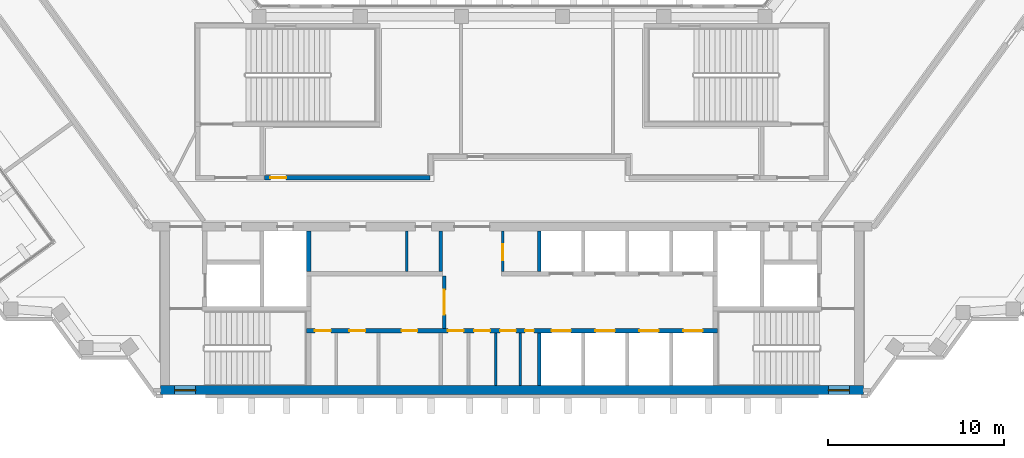
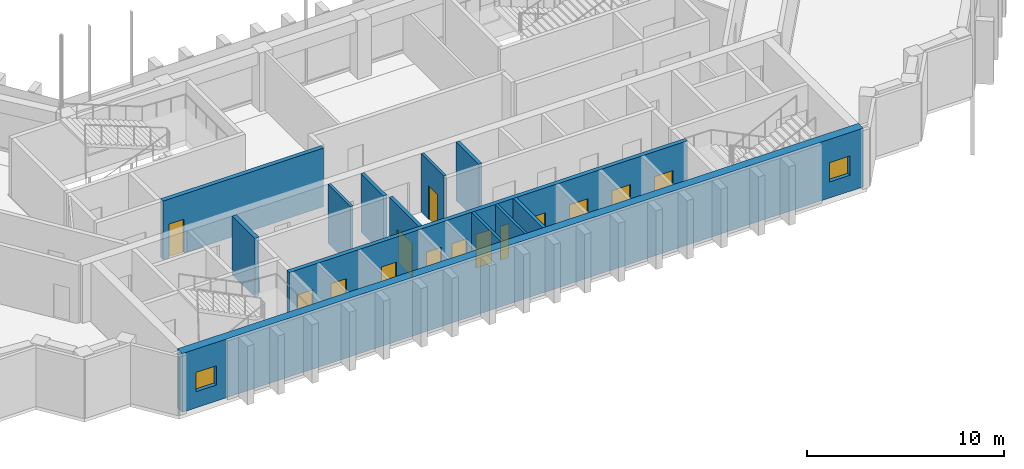
# One storey, part 9 of 15: 14 doors, 12 walls, 2 windows, 16 openings.
"""IFC4 building model written with IfcOpenShell, lengths in metres."""

import ifcopenshell
import ifcopenshell.guid

model = None  # the IFC model being written
_history = None  # IfcOwnerHistory: only IFC2X3 demands one
_inside = {}  # id of a spatial element -> (the spatial element, [elements in it])
_under = {}  # id of a project, library or spatial element -> (it, [spatial elements below it])
_declared = {}  # id of a project -> (the project, [libraries it declares])
_typed = {}  # id of a type object -> (the type object, [elements of that type])
_made_of = {}  # id of a material, layer set ... -> (it, [elements and type objects made of it])


def new_model(schema):
    """Start an empty IFC model of exactly this schema.

    Asked for "IFC4X3", IfcOpenShell would pick the latest addendum, in which some entities
    have other attributes; the version numbers below select the first issue.
    IFC2X3 requires an IfcOwnerHistory on every rooted entity: one is made here for all.
    """
    global model, _history
    if schema == "IFC4X3":
        model = ifcopenshell.file(schema_version=(4, 3, 0, 0))
    else:
        model = ifcopenshell.file(schema=schema)
    _inside.clear()
    _under.clear()
    _declared.clear()
    _typed.clear()
    _made_of.clear()
    _history = None
    if model.schema == "IFC2X3":
        org = make("IfcOrganization", Name="unknown")
        user = make(
            "IfcPersonAndOrganization",
            ThePerson=make("IfcPerson", FamilyName="unknown"),
            TheOrganization=org,
        )
        app = make(
            "IfcApplication",
            ApplicationDeveloper=org,
            Version="unknown",
            ApplicationFullName="unknown",
            ApplicationIdentifier="unknown",
        )
        _history = make(
            "IfcOwnerHistory",
            OwningUser=user,
            OwningApplication=app,
            ChangeAction="ADDED",
            CreationDate=0,
        )
    return model


def make(cls, **values):
    """One entity of the class cls with the attributes given. An attribute that is None is left unset."""
    return model.create_entity(
        cls, **{name: value for name, value in values.items() if value is not None}
    )


def rooted(cls, **values):
    """An entity with a GlobalId (a new one), such as an element, a storey or a relation."""
    return make(cls, GlobalId=ifcopenshell.guid.new(), OwnerHistory=_history, **values)


def si_unit(unit_type, name, prefix=None):
    """IfcSIUnit, for example si_unit("LENGTHUNIT", "METRE", prefix="MILLI")."""
    return make("IfcSIUnit", UnitType=unit_type, Prefix=prefix, Name=name)


def assignment(units):
    """IfcUnitAssignment: the units of a project."""
    return None if units is None else make("IfcUnitAssignment", Units=units)


def point(xyz):
    """IfcCartesianPoint."""
    return None if xyz is None else make("IfcCartesianPoint", Coordinates=xyz)


def direction(xyz):
    """IfcDirection."""
    return None if xyz is None else make("IfcDirection", DirectionRatios=xyz)


def frame(location, z_axis=None, x_axis=None):
    """IfcAxis2Placement3D, a coordinate frame: its origin and axes. An axis left out is left unset."""
    return make(
        "IfcAxis2Placement3D",
        Location=point(location),
        Axis=direction(z_axis),
        RefDirection=direction(x_axis),
    )


def frame_2d(location, x_axis=None):
    """IfcAxis2Placement2D, a coordinate frame in the plane: its origin and x axis."""
    return make(
        "IfcAxis2Placement2D", Location=point(location), RefDirection=direction(x_axis)
    )


def origin():
    """The frame at (0, 0, 0) with its axes left unset."""
    return frame((0.0, 0.0, 0.0))


def place(relative_to, where):
    """IfcLocalPlacement: puts the frame where relative to a parent placement (None: the world)."""
    return make(
        "IfcLocalPlacement", PlacementRelTo=relative_to, RelativePlacement=where
    )


def context(
    kind, dimensions, precision=None, world=None, true_north=None, identifier=None
):
    """IfcGeometricRepresentationContext, for example the 3D "Model" context."""
    return make(
        "IfcGeometricRepresentationContext",
        ContextIdentifier=identifier,
        ContextType=kind,
        CoordinateSpaceDimension=dimensions,
        Precision=precision,
        WorldCoordinateSystem=world,
        TrueNorth=true_north,
    )


def subcontext(parent, identifier, kind, view, scale=None):
    """IfcGeometricRepresentationSubContext, for example "Body" below "Model"."""
    return make(
        "IfcGeometricRepresentationSubContext",
        ContextIdentifier=identifier,
        ContextType=kind,
        ParentContext=parent,
        TargetScale=scale,
        TargetView=view,
    )


def project(units=None, contexts=None):
    """IfcProject with its units and contexts."""
    return rooted(
        "IfcProject",
        Name="project",
        RepresentationContexts=contexts,
        UnitsInContext=assignment(units),
    )


def spatial(cls, under=None, at=None, **own):
    """A site, building, storey or space (cls), placed at a placement, below another one or the project."""
    s = rooted(cls, ObjectPlacement=at, **own)
    if under is not None:
        _under.setdefault(under.id(), (under, []))[1].append(s)
    return s


def profile(cls, at=None, kind="AREA", **sizes):
    """A parametric profile (cls). Its sizes go by their IFC names, for example OverallWidth=200.0."""
    return make(cls, ProfileType=kind, Position=at, **sizes)


def rectangle(**sizes):
    """IfcRectangleProfileDef."""
    return profile("IfcRectangleProfileDef", **sizes)


def extrude(swept, where, along, depth):
    """IfcExtrudedAreaSolid: the profile swept, set in the frame where, extruded along a direction by depth."""
    return make(
        "IfcExtrudedAreaSolid",
        SweptArea=swept,
        Position=where,
        ExtrudedDirection=direction(along),
        Depth=depth,
    )


def shape(context_of_items, identifier, shape_type, items):
    """IfcShapeRepresentation: the items that make up one representation, for example the "Body"."""
    return make(
        "IfcShapeRepresentation",
        ContextOfItems=context_of_items,
        RepresentationIdentifier=identifier,
        RepresentationType=shape_type,
        Items=items,
    )


def material(Name=None, Category=None):
    """IfcMaterial."""
    return make("IfcMaterial", Name=Name, Category=Category)


def layer(
    of_material, thickness, ventilated=None, Name=None, Category=None, Priority=None
):
    """IfcMaterialLayer: one layer of a wall or slab, of a material (None: an air gap)."""
    return make(
        "IfcMaterialLayer",
        Material=of_material,
        LayerThickness=thickness,
        IsVentilated=ventilated,
        Name=Name,
        Category=Category,
        Priority=Priority,
    )


def layer_set(layers, Name=None):
    """IfcMaterialLayerSet."""
    return make("IfcMaterialLayerSet", MaterialLayers=layers, LayerSetName=Name)


def made_of(thing, what):
    """Note that an element or type object is made of a material, layer set ...; save() writes the relation."""
    if what is not None:
        _made_of.setdefault(what.id(), (what, []))[1].append(thing)
    return thing


def type_object(cls, material=None, **own):
    """A type object (cls), such as IfcWallType, which elements share."""
    return made_of(rooted(cls, **own), material)


def element(
    cls,
    number,
    at=None,
    inside=None,
    cuts=None,
    type_object=None,
    material=None,
    context=None,
    identifier="Body",
    shape_type=None,
    held_by="IfcProductDefinitionShape",
    body=None,
    shapes=None,
    **own,
):
    """One element of the class cls, such as IfcWall. Its Tag is "e" and its number.

    at: its placement. inside: the storey or other place that contains it. cuts: it is an
    opening in that element (IfcRelVoidsElement). A single representation is given by context,
    identifier, shape_type and body (its items); several are given by shapes. held_by: the class
    of the entity that holds the representations. save() writes the other relations.
    """
    e = rooted(cls, Tag="e%d" % number, ObjectPlacement=at, **own)
    if body is not None:
        shapes = [shape(context, identifier, shape_type, body)]
    if shapes is not None:
        e.Representation = make(held_by, Representations=shapes)
    if inside is not None:
        _inside.setdefault(inside.id(), (inside, []))[1].append(e)
    if cuts is not None:
        rooted(
            "IfcRelVoidsElement", RelatingBuildingElement=cuts, RelatedOpeningElement=e
        )
    if type_object is not None:
        _typed.setdefault(type_object.id(), (type_object, []))[1].append(e)
    return made_of(e, material)


def fill(opening, filler):
    """IfcRelFillsElement: the door or window that sits in an opening."""
    return rooted(
        "IfcRelFillsElement",
        RelatingOpeningElement=opening,
        RelatedBuildingElement=filler,
    )


def aggregate(whole, parts):
    """IfcRelAggregates: a whole, such as a stair, and the parts it consists of."""
    return rooted("IfcRelAggregates", RelatingObject=whole, RelatedObjects=parts)


def save(model, path):
    """Write the relations noted so far, then the file.

    IfcRelAggregates (storeys below a building ...), IfcRelContainedInSpatialStructure (elements
    in a storey), IfcRelDefinesByType, IfcRelAssociatesMaterial and IfcRelDeclares: one each for
    every whole, place, type object, material and project.
    """
    for whole, parts in _under.values():
        aggregate(whole, parts)
    for where, things in _inside.values():
        rooted(
            "IfcRelContainedInSpatialStructure",
            RelatedElements=things,
            RelatingStructure=where,
        )
    for kind, things in _typed.values():
        rooted("IfcRelDefinesByType", RelatedObjects=things, RelatingType=kind)
    for what, things in _made_of.values():
        rooted("IfcRelAssociatesMaterial", RelatedObjects=things, RelatingMaterial=what)
    for by, libraries in _declared.values():
        rooted("IfcRelDeclares", RelatingContext=by, RelatedDefinitions=libraries)
    model.write(path)


model = new_model("IFC4")

# Units and contexts
model_context = context("Model", 3, precision=1e-05, world=origin(), true_north=direction((0.0, 1.0)))
body_context = subcontext(model_context, "Body", "Model", "MODEL_VIEW")
ifc_project = project(units=[si_unit("LENGTHUNIT", "METRE"), si_unit("AREAUNIT", "SQUARE_METRE"), si_unit("VOLUMEUNIT", "CUBIC_METRE"), si_unit("PLANEANGLEUNIT", "RADIAN"), si_unit("MASSUNIT", "GRAM", prefix="KILO")], contexts=[model_context])

# Site, building, storey
site_placement = place(None, origin())
site = spatial("IfcSite", under=ifc_project, at=site_placement, CompositionType="ELEMENT")
building_placement = place(site_placement, origin())
building = spatial("IfcBuilding", under=site, at=building_placement, Name="Quipu Civic Tower", CompositionType="ELEMENT")
storey_placement = place(building_placement, frame((0.0, 0.0, 160.0)))
storey = spatial("IfcBuildingStorey", under=building, at=storey_placement, Name="L37", CompositionType="ELEMENT", Elevation=160.0)

# Wall, openings, doors
ifc_material_1 = material(Name="Concrete C70/85", Category="concrete")
ifc_layer_1 = layer(ifc_material_1, 0.25)
ifc_layer_set_1 = layer_set([ifc_layer_1], Name="Concrete C70/85")
wall_type_1 = type_object("IfcWallType", Name="Core wall 250", PredefinedType="SHEAR", material=ifc_layer_set_1)
wall_1_placement = place(storey_placement, frame((11.699951171875, -7.375, 0.0), z_axis=(0.0, 0.0, 1.0), x_axis=(-1.0, 0.0, 0.0)))
wall_1 = element("IfcWall", 1, at=wall_1_placement, inside=storey, type_object=wall_type_1, Name="Core wall", PredefinedType="SHEAR", context=body_context, shape_type="SweptSolid", body=[
    extrude(rectangle(XDim=23.39990234375, YDim=0.25, at=frame_2d((11.699951171875, 0.0))), origin(), (0.0, 0.0, 1.0), 3.64990234375),
])
opening_1_placement = place(wall_1_placement, frame((22.011962890625, 0.0, 0.0)))
opening_1 = element("IfcOpeningElement", 2, at=opening_1_placement, cuts=wall_1, Name="Opening CD-01", PredefinedType="OPENING", context=body_context, shape_type="SweptSolid", body=[
    extrude(rectangle(XDim=0.89990234375, YDim=2.10009765625, at=frame_2d((0.449951171875, 1.050048828125))), frame((0.0, 0.135009765625, 0.0), z_axis=(0.0, -1.0, 0.0), x_axis=(1.0, 0.0, 0.0)), (0.0, 0.0, 1.0), 0.27001953125),
])
opening_2_placement = place(wall_1_placement, frame((20.050048828125, 0.0, 0.0)))
opening_2 = element("IfcOpeningElement", 3, at=opening_2_placement, cuts=wall_1, Name="Opening CD-02", PredefinedType="OPENING", context=body_context, shape_type="SweptSolid", body=[
    extrude(rectangle(XDim=0.89990234375, YDim=2.10009765625, at=frame_2d((0.449951171875, 1.050048828125))), frame((0.0, 0.135009765625, 0.0), z_axis=(0.0, -1.0, 0.0), x_axis=(1.0, 0.0, 0.0)), (0.0, 0.0, 1.0), 0.27001953125),
])
opening_3_placement = place(wall_1_placement, frame((17.087890625, 0.0, 0.0)))
opening_3 = element("IfcOpeningElement", 4, at=opening_3_placement, cuts=wall_1, Name="Opening CD-03", PredefinedType="OPENING", context=body_context, shape_type="SweptSolid", body=[
    extrude(rectangle(XDim=0.89990234375, YDim=2.10009765625, at=frame_2d((0.449951171875, 1.050048828125))), frame((0.0, 0.135009765625, 0.0), z_axis=(0.0, -1.0, 0.0), x_axis=(1.0, 0.0, 0.0)), (0.0, 0.0, 1.0), 0.27001953125),
])
opening_4_placement = place(wall_1_placement, frame((14.449951171875, 0.0, 0.0)))
opening_4 = element("IfcOpeningElement", 5, at=opening_4_placement, cuts=wall_1, Name="Opening CD-04", PredefinedType="OPENING", context=body_context, shape_type="SweptSolid", body=[
    extrude(rectangle(XDim=0.89990234375, YDim=2.10009765625, at=frame_2d((0.449951171875, 1.050048828125))), frame((0.0, 0.135009765625, 0.0), z_axis=(0.0, -1.0, 0.0), x_axis=(1.0, 0.0, 0.0)), (0.0, 0.0, 1.0), 0.27001953125),
])
opening_5_placement = place(wall_1_placement, frame((12.949951171875, 0.0, 0.0)))
opening_5 = element("IfcOpeningElement", 6, at=opening_5_placement, cuts=wall_1, Name="Opening CD-05", PredefinedType="OPENING", context=body_context, shape_type="SweptSolid", body=[
    extrude(rectangle(XDim=0.89990234375, YDim=2.10009765625, at=frame_2d((0.449951171875, 1.050048828125))), frame((0.0, 0.135009765625, 0.0), z_axis=(0.0, -1.0, 0.0), x_axis=(1.0, 0.0, 0.0)), (0.0, 0.0, 1.0), 0.27001953125),
])
opening_6_placement = place(wall_1_placement, frame((11.47509765625, 0.0, 0.0)))
opening_6 = element("IfcOpeningElement", 7, at=opening_6_placement, cuts=wall_1, Name="Opening CD-06", PredefinedType="OPENING", context=body_context, shape_type="SweptSolid", body=[
    extrude(rectangle(XDim=0.89990234375, YDim=2.10009765625, at=frame_2d((0.449951171875, 1.050048828125))), frame((0.0, 0.135009765625, 0.0), z_axis=(0.0, -1.0, 0.0), x_axis=(1.0, 0.0, 0.0)), (0.0, 0.0, 1.0), 0.27001953125),
])
opening_7_placement = place(wall_1_placement, frame((10.449951171875, 0.0, 0.0)))
opening_7 = element("IfcOpeningElement", 8, at=opening_7_placement, cuts=wall_1, Name="Opening CD-07", PredefinedType="OPENING", context=body_context, shape_type="SweptSolid", body=[
    extrude(rectangle(XDim=0.5, YDim=2.10009765625, at=frame_2d((0.25, 1.050048828125))), frame((0.0, 0.135009765625, 0.0), z_axis=(0.0, -1.0, 0.0), x_axis=(1.0, 0.0, 0.0)), (0.0, 0.0, 1.0), 0.27001953125),
])
opening_8_placement = place(wall_1_placement, frame((8.35009765625, 0.0, 0.0)))
opening_8 = element("IfcOpeningElement", 9, at=opening_8_placement, cuts=wall_1, Name="Opening LD-ML1", PredefinedType="OPENING", context=body_context, shape_type="SweptSolid", body=[
    extrude(rectangle(XDim=1.10009765625, YDim=2.10009765625, at=frame_2d((0.550048828125, 1.050048828125))), frame((0.0, 0.135009765625, 0.0), z_axis=(0.0, -1.0, 0.0), x_axis=(1.0, 0.0, 0.0)), (0.0, 0.0, 1.0), 0.27001953125),
])
opening_9_placement = place(wall_1_placement, frame((5.85009765625, 0.0, 0.0)))
opening_9 = element("IfcOpeningElement", 10, at=opening_9_placement, cuts=wall_1, Name="Opening LD-ML2", PredefinedType="OPENING", context=body_context, shape_type="SweptSolid", body=[
    extrude(rectangle(XDim=1.10009765625, YDim=2.10009765625, at=frame_2d((0.550048828125, 1.050048828125))), frame((0.0, 0.135009765625, 0.0), z_axis=(0.0, -1.0, 0.0), x_axis=(1.0, 0.0, 0.0)), (0.0, 0.0, 1.0), 0.27001953125),
])
opening_10_placement = place(wall_1_placement, frame((3.35009765625, 0.0, 0.0)))
opening_10 = element("IfcOpeningElement", 11, at=opening_10_placement, cuts=wall_1, Name="Opening LD-ML3", PredefinedType="OPENING", context=body_context, shape_type="SweptSolid", body=[
    extrude(rectangle(XDim=1.10009765625, YDim=2.10009765625, at=frame_2d((0.550048828125, 1.050048828125))), frame((0.0, 0.135009765625, 0.0), z_axis=(0.0, -1.0, 0.0), x_axis=(1.0, 0.0, 0.0)), (0.0, 0.0, 1.0), 0.27001953125),
])
opening_11_placement = place(wall_1_placement, frame((0.85009765625, 0.0, 0.0)))
opening_11 = element("IfcOpeningElement", 12, at=opening_11_placement, cuts=wall_1, Name="Opening LD-ML4", PredefinedType="OPENING", context=body_context, shape_type="SweptSolid", body=[
    extrude(rectangle(XDim=1.10009765625, YDim=2.10009765625, at=frame_2d((0.550048828125, 1.050048828125))), frame((0.0, 0.135009765625, 0.0), z_axis=(0.0, -1.0, 0.0), x_axis=(1.0, 0.0, 0.0)), (0.0, 0.0, 1.0), 0.27001953125),
])
ifc_material_2 = material(Name="Fire rated steel door", Category="steel")
door_type_1 = type_object("IfcDoorType", Name="Fire door FD60 500 x 2100", OperationType="NOTDEFINED", PredefinedType="DOOR", material=ifc_material_2)
door_1_placement = place(opening_7_placement, origin())
door_1 = element("IfcDoor", 13, at=door_1_placement, inside=storey, type_object=door_type_1, Name="Door", OperationType="SINGLE_SWING_LEFT", OverallHeight=2.10009765625, OverallWidth=0.5, PredefinedType="DOOR", context=body_context, shape_type="SweptSolid", body=[
    extrude(rectangle(XDim=0.5, YDim=2.10009765625, at=frame_2d((0.25, 1.050048828125))), frame((0.0, 0.02490234375, 0.0), z_axis=(0.0, -1.0, 0.0), x_axis=(1.0, 0.0, 0.0)), (0.0, 0.0, 1.0), 0.050048828125),
])
fill(opening_7, door_1)
ifc_material_3 = material(Name="Fire rated steel door", Category="steel")
door_type_2 = type_object("IfcDoorType", Name="Fire door FD60 900 x 2100", OperationType="NOTDEFINED", PredefinedType="DOOR", material=ifc_material_3)
door_2_placement = place(opening_1_placement, origin())
door_2 = element("IfcDoor", 14, at=door_2_placement, inside=storey, type_object=door_type_2, Name="Door", OperationType="SINGLE_SWING_RIGHT", OverallHeight=2.10009765625, OverallWidth=0.89990234375, PredefinedType="DOOR", context=body_context, shape_type="SweptSolid", body=[
    extrude(rectangle(XDim=0.89990234375, YDim=2.10009765625, at=frame_2d((0.449951171875, 1.050048828125))), frame((0.0, 0.02490234375, 0.0), z_axis=(0.0, -1.0, 0.0), x_axis=(1.0, 0.0, 0.0)), (0.0, 0.0, 1.0), 0.050048828125),
])
fill(opening_1, door_2)
door_3_placement = place(opening_2_placement, origin())
door_3 = element("IfcDoor", 15, at=door_3_placement, inside=storey, type_object=door_type_2, Name="Door", OperationType="SINGLE_SWING_RIGHT", OverallHeight=2.10009765625, OverallWidth=0.89990234375, PredefinedType="DOOR", context=body_context, shape_type="SweptSolid", body=[
    extrude(rectangle(XDim=0.89990234375, YDim=2.10009765625, at=frame_2d((0.449951171875, 1.050048828125))), frame((0.0, 0.02490234375, 0.0), z_axis=(0.0, -1.0, 0.0), x_axis=(1.0, 0.0, 0.0)), (0.0, 0.0, 1.0), 0.050048828125),
])
fill(opening_2, door_3)
door_4_placement = place(opening_3_placement, origin())
door_4 = element("IfcDoor", 16, at=door_4_placement, inside=storey, type_object=door_type_2, Name="Door", OperationType="SINGLE_SWING_RIGHT", OverallHeight=2.10009765625, OverallWidth=0.89990234375, PredefinedType="DOOR", context=body_context, shape_type="SweptSolid", body=[
    extrude(rectangle(XDim=0.89990234375, YDim=2.10009765625, at=frame_2d((0.449951171875, 1.050048828125))), frame((0.0, 0.02490234375, 0.0), z_axis=(0.0, -1.0, 0.0), x_axis=(1.0, 0.0, 0.0)), (0.0, 0.0, 1.0), 0.050048828125),
])
fill(opening_3, door_4)
door_5_placement = place(opening_4_placement, origin())
door_5 = element("IfcDoor", 17, at=door_5_placement, inside=storey, type_object=door_type_2, Name="WC door", OperationType="SINGLE_SWING_RIGHT", OverallHeight=2.10009765625, OverallWidth=0.89990234375, PredefinedType="DOOR", context=body_context, shape_type="SweptSolid", body=[
    extrude(rectangle(XDim=0.89990234375, YDim=2.10009765625, at=frame_2d((0.449951171875, 1.050048828125))), frame((0.0, 0.02490234375, 0.0), z_axis=(0.0, -1.0, 0.0), x_axis=(1.0, 0.0, 0.0)), (0.0, 0.0, 1.0), 0.050048828125),
])
fill(opening_4, door_5)
door_6_placement = place(opening_5_placement, origin())
door_6 = element("IfcDoor", 18, at=door_6_placement, inside=storey, type_object=door_type_2, Name="WC door", OperationType="SINGLE_SWING_RIGHT", OverallHeight=2.10009765625, OverallWidth=0.89990234375, PredefinedType="DOOR", context=body_context, shape_type="SweptSolid", body=[
    extrude(rectangle(XDim=0.89990234375, YDim=2.10009765625, at=frame_2d((0.449951171875, 1.050048828125))), frame((0.0, 0.02490234375, 0.0), z_axis=(0.0, -1.0, 0.0), x_axis=(1.0, 0.0, 0.0)), (0.0, 0.0, 1.0), 0.050048828125),
])
fill(opening_5, door_6)
door_7_placement = place(opening_6_placement, origin())
door_7 = element("IfcDoor", 19, at=door_7_placement, inside=storey, type_object=door_type_2, Name="WC door", OperationType="SINGLE_SWING_RIGHT", OverallHeight=2.10009765625, OverallWidth=0.89990234375, PredefinedType="DOOR", context=body_context, shape_type="SweptSolid", body=[
    extrude(rectangle(XDim=0.89990234375, YDim=2.10009765625, at=frame_2d((0.449951171875, 1.050048828125))), frame((0.0, 0.02490234375, 0.0), z_axis=(0.0, -1.0, 0.0), x_axis=(1.0, 0.0, 0.0)), (0.0, 0.0, 1.0), 0.050048828125),
])
fill(opening_6, door_7)
ifc_material_4 = material(Name="Stainless steel", Category="steel")
door_type_3 = type_object("IfcDoorType", Name="Lift landing door 1100 x 2100", OperationType="DOUBLE_DOOR_SLIDING", PredefinedType="DOOR", material=ifc_material_4)
door_8_placement = place(opening_8_placement, origin())
door_8 = element("IfcDoor", 20, at=door_8_placement, inside=storey, type_object=door_type_3, Name="Landing door ML1", OperationType="DOUBLE_DOOR_SLIDING", OverallHeight=2.10009765625, OverallWidth=1.10009765625, PredefinedType="DOOR", context=body_context, shape_type="SweptSolid", body=[
    extrude(rectangle(XDim=1.10009765625, YDim=2.10009765625, at=frame_2d((0.550048828125, 1.050048828125))), frame((0.0, 0.02490234375, 0.0), z_axis=(0.0, -1.0, 0.0), x_axis=(1.0, 0.0, 0.0)), (0.0, 0.0, 1.0), 0.050048828125),
])
fill(opening_8, door_8)
door_9_placement = place(opening_9_placement, origin())
door_9 = element("IfcDoor", 21, at=door_9_placement, inside=storey, type_object=door_type_3, Name="Landing door ML2", OperationType="DOUBLE_DOOR_SLIDING", OverallHeight=2.10009765625, OverallWidth=1.10009765625, PredefinedType="DOOR", context=body_context, shape_type="SweptSolid", body=[
    extrude(rectangle(XDim=1.10009765625, YDim=2.10009765625, at=frame_2d((0.550048828125, 1.050048828125))), frame((0.0, 0.02490234375, 0.0), z_axis=(0.0, -1.0, 0.0), x_axis=(1.0, 0.0, 0.0)), (0.0, 0.0, 1.0), 0.050048828125),
])
fill(opening_9, door_9)
door_10_placement = place(opening_10_placement, origin())
door_10 = element("IfcDoor", 22, at=door_10_placement, inside=storey, type_object=door_type_3, Name="Landing door ML3", OperationType="DOUBLE_DOOR_SLIDING", OverallHeight=2.10009765625, OverallWidth=1.10009765625, PredefinedType="DOOR", context=body_context, shape_type="SweptSolid", body=[
    extrude(rectangle(XDim=1.10009765625, YDim=2.10009765625, at=frame_2d((0.550048828125, 1.050048828125))), frame((0.0, 0.02490234375, 0.0), z_axis=(0.0, -1.0, 0.0), x_axis=(1.0, 0.0, 0.0)), (0.0, 0.0, 1.0), 0.050048828125),
])
fill(opening_10, door_10)
door_11_placement = place(opening_11_placement, origin())
door_11 = element("IfcDoor", 23, at=door_11_placement, inside=storey, type_object=door_type_3, Name="Landing door ML4", OperationType="DOUBLE_DOOR_SLIDING", OverallHeight=2.10009765625, OverallWidth=1.10009765625, PredefinedType="DOOR", context=body_context, shape_type="SweptSolid", body=[
    extrude(rectangle(XDim=1.10009765625, YDim=2.10009765625, at=frame_2d((0.550048828125, 1.050048828125))), frame((0.0, 0.02490234375, 0.0), z_axis=(0.0, -1.0, 0.0), x_axis=(1.0, 0.0, 0.0)), (0.0, 0.0, 1.0), 0.050048828125),
])
fill(opening_11, door_11)

# Wall
wall_2_placement = place(storey_placement, frame((-11.574951171875, -4.0, 0.0), z_axis=(0.0, 0.0, 1.0), x_axis=(0.0, 1.0, 0.0)))
element("IfcWall", 24, at=wall_2_placement, inside=storey, type_object=wall_type_1, Name="Core wall", PredefinedType="SHEAR", context=body_context, shape_type="SweptSolid", body=[
    extrude(rectangle(XDim=2.300048828125, YDim=0.25, at=frame_2d((1.14990234375, 0.0))), origin(), (0.0, 0.0, 1.0), 3.64990234375),
])

# Wall, openings, windows
ifc_material_5 = material(Name="Concrete C70/85", Category="concrete")
ifc_layer_2 = layer(ifc_material_5, 0.5)
ifc_layer_set_2 = layer_set([ifc_layer_2], Name="Concrete C70/85")
wall_type_2 = type_object("IfcWallType", Name="Core wall 500", PredefinedType="SHEAR", material=ifc_layer_set_2)
wall_3_placement = place(storey_placement, frame((-20.0, -10.75, 0.0), z_axis=(0.0, 0.0, 1.0), x_axis=(1.0, 0.0, 0.0)))
wall_3 = element("IfcWall", 25, at=wall_3_placement, inside=storey, type_object=wall_type_2, Name="Core wall", PredefinedType="SHEAR", context=body_context, shape_type="SweptSolid", body=[
    extrude(rectangle(XDim=40.0, YDim=0.5, at=frame_2d((20.0, 0.0))), origin(), (0.0, 0.0, 1.0), 3.64990234375),
])
opening_12_placement = place(wall_3_placement, frame((0.800048828125, 0.0, 1.0)))
opening_12 = element("IfcOpeningElement", 26, at=opening_12_placement, cuts=wall_3, Name="Opening SV-1", PredefinedType="OPENING", context=body_context, shape_type="SweptSolid", body=[
    extrude(rectangle(XDim=1.199951171875, YDim=1.199951171875, at=frame_2d((0.60009765625, 0.60009765625))), frame((0.0, 0.260009765625, 0.0), z_axis=(0.0, -1.0, 0.0), x_axis=(1.0, 0.0, 0.0)), (0.0, 0.0, 1.0), 0.52001953125),
])
opening_13_placement = place(wall_3_placement, frame((38.0, 0.0, 1.0)))
opening_13 = element("IfcOpeningElement", 27, at=opening_13_placement, cuts=wall_3, Name="Opening SV-2", PredefinedType="OPENING", context=body_context, shape_type="SweptSolid", body=[
    extrude(rectangle(XDim=1.199951171875, YDim=1.199951171875, at=frame_2d((0.60009765625, 0.60009765625))), frame((0.0, 0.260009765625, 0.0), z_axis=(0.0, -1.0, 0.0), x_axis=(1.0, 0.0, 0.0)), (0.0, 0.0, 1.0), 0.52001953125),
])
ifc_material_6 = material(Name="Aluminium louvre", Category="aluminium")
window_type = type_object("IfcWindowType", Name="Stair ventilation louvre 1200 x 1200", PartitioningType="SINGLE_PANEL", PredefinedType="WINDOW", material=ifc_material_6)
window_1_placement = place(opening_12_placement, origin())
window_1 = element("IfcWindow", 28, at=window_1_placement, inside=storey, type_object=window_type, Name="Stair ventilation opening", OverallHeight=1.199951171875, OverallWidth=1.199951171875, PartitioningType="SINGLE_PANEL", PredefinedType="WINDOW", context=body_context, shape_type="SweptSolid", body=[
    extrude(rectangle(XDim=1.199951171875, YDim=1.199951171875, at=frame_2d((0.60009765625, 0.60009765625))), frame((0.0, 0.030029296875, 0.0), z_axis=(0.0, -1.0, 0.0), x_axis=(1.0, 0.0, 0.0)), (0.0, 0.0, 1.0), 0.06005859375),
])
fill(opening_12, window_1)
window_2_placement = place(opening_13_placement, origin())
window_2 = element("IfcWindow", 29, at=window_2_placement, inside=storey, type_object=window_type, Name="Stair ventilation opening", OverallHeight=1.199951171875, OverallWidth=1.199951171875, PartitioningType="SINGLE_PANEL", PredefinedType="WINDOW", context=body_context, shape_type="SweptSolid", body=[
    extrude(rectangle(XDim=1.199951171875, YDim=1.199951171875, at=frame_2d((0.60009765625, 0.60009765625))), frame((0.0, 0.030029296875, 0.0), z_axis=(0.0, -1.0, 0.0), x_axis=(1.0, 0.0, 0.0)), (0.0, 0.0, 1.0), 0.06005859375),
])
fill(opening_13, window_2)

# Wall, opening, door
ifc_material_7 = material(Name="Concrete C50/60", Category="concrete")
ifc_layer_3 = layer(ifc_material_7, 0.25)
ifc_layer_set_3 = layer_set([ifc_layer_3], Name="Concrete C50/60")
wall_type_3 = type_object("IfcWallType", Name="Corridor wall 250 concrete", PredefinedType="SOLIDWALL", material=ifc_layer_set_3)
wall_4_placement = place(storey_placement, frame((-14.090087890625, 1.324951171875, 0.0), z_axis=(0.0, 0.0, 1.0), x_axis=(1.0, 0.0, 0.0)))
wall_4 = element("IfcWall", 30, at=wall_4_placement, inside=storey, type_object=wall_type_3, Name="Corridor wall C07", PredefinedType="SOLIDWALL", context=body_context, shape_type="SweptSolid", body=[
    extrude(rectangle(XDim=9.431396484375, YDim=0.25, at=frame_2d((4.7158203125, 0.0))), origin(), (0.0, 0.0, 1.0), 3.64990234375),
])
opening_14_placement = place(wall_4_placement, frame((0.340087890625, 0.0, 0.0)))
opening_14 = element("IfcOpeningElement", 31, at=opening_14_placement, cuts=wall_4, Name="Opening D007", PredefinedType="OPENING", context=body_context, shape_type="SweptSolid", body=[
    extrude(rectangle(XDim=0.89990234375, YDim=2.10009765625, at=frame_2d((0.449951171875, 1.050048828125))), frame((0.0, 0.135009765625, 0.0), z_axis=(0.0, -1.0, 0.0), x_axis=(1.0, 0.0, 0.0)), (0.0, 0.0, 1.0), 0.27001953125),
])
ifc_material_8 = material(Name="Fire rated timber door set with metal frame", Category="wood")
door_type_4 = type_object("IfcDoorType", Name="Single door 900 x 2100 FD60", OperationType="NOTDEFINED", PredefinedType="DOOR", material=ifc_material_8)
door_12_placement = place(opening_14_placement, origin())
door_12 = element("IfcDoor", 32, at=door_12_placement, inside=storey, type_object=door_type_4, Name="Door D007", OperationType="SINGLE_SWING_LEFT", OverallHeight=2.10009765625, OverallWidth=0.89990234375, PredefinedType="DOOR", context=body_context, shape_type="SweptSolid", body=[
    extrude(rectangle(XDim=0.89990234375, YDim=2.10009765625, at=frame_2d((0.449951171875, 1.050048828125))), frame((0.0, 0.02490234375, 0.0), z_axis=(0.0, -1.0, 0.0), x_axis=(1.0, 0.0, 0.0)), (0.0, 0.0, 1.0), 0.050048828125),
])
fill(opening_14, door_12)

# Walls
ifc_material_9 = material(Name="Gypsum board partition")
ifc_layer_4 = layer(ifc_material_9, 0.14990234375)
ifc_layer_set_4 = layer_set([ifc_layer_4], Name="Gypsum board partition")
wall_type_4 = type_object("IfcWallType", Name="Partition 150", PredefinedType="PARTITIONING", material=ifc_layer_set_4)
for number, where, z_axis, x_axis, name in (
    (33, (-0.925048828125, -10.5, 0.0), (0.0, 0.0, 1.0), (0.0, 1.0, 0.0), "Partition"),
    (34, (0.47509765625, -10.5, 0.0), (0.0, 0.0, 1.0), (0.0, 1.0, 0.0), "Partition"),
):
    element("IfcWall", number, at=place(storey_placement, frame(where, z_axis=z_axis, x_axis=x_axis)), inside=storey, type_object=wall_type_4, Name=name, PredefinedType="PARTITIONING", context=body_context, shape_type="SweptSolid", body=[
        extrude(rectangle(XDim=3.0, YDim=0.14990234375, at=frame_2d((1.5, 0.0))), origin(), (0.0, 0.0, 1.0), 3.64990234375),
    ])
wall_5_placement = place(storey_placement, frame((-6.0, -4.0, 0.0), z_axis=(0.0, 0.0, 1.0), x_axis=(0.0, 1.0, 0.0)))
element("IfcWall", 35, at=wall_5_placement, inside=storey, type_object=wall_type_4, Name="Partition", PredefinedType="PARTITIONING", context=body_context, shape_type="SweptSolid", body=[
    extrude(rectangle(XDim=2.300048828125, YDim=0.14990234375, at=frame_2d((1.14990234375, 0.0))), origin(), (0.0, 0.0, 1.0), 3.64990234375),
])

# Wall, opening, door
wall_6_placement = place(storey_placement, frame((-0.52490234375, -4.0, 0.0), z_axis=(0.0, 0.0, 1.0), x_axis=(0.0, 1.0, 0.0)))
wall_6 = element("IfcWall", 36, at=wall_6_placement, inside=storey, type_object=wall_type_4, Name="Partition", PredefinedType="PARTITIONING", context=body_context, shape_type="SweptSolid", body=[
    extrude(rectangle(XDim=2.300048828125, YDim=0.14990234375, at=frame_2d((1.14990234375, 0.0))), origin(), (0.0, 0.0, 1.0), 3.64990234375),
])
opening_15_placement = place(wall_6_placement, frame((0.64990234375, 0.0, 0.0)))
opening_15 = element("IfcOpeningElement", 37, at=opening_15_placement, cuts=wall_6, Name="Opening CD-11", PredefinedType="OPENING", context=body_context, shape_type="SweptSolid", body=[
    extrude(rectangle(XDim=0.89990234375, YDim=2.10009765625, at=frame_2d((0.449951171875, 1.050048828125))), frame((0.0, 0.0849609375, 0.0), z_axis=(0.0, -1.0, 0.0), x_axis=(1.0, 0.0, 0.0)), (0.0, 0.0, 1.0), 0.169921875),
])
door_13_placement = place(opening_15_placement, origin())
door_13 = element("IfcDoor", 38, at=door_13_placement, inside=storey, type_object=door_type_2, Name="WC door", OperationType="SINGLE_SWING_LEFT", OverallHeight=2.10009765625, OverallWidth=0.89990234375, PredefinedType="DOOR", context=body_context, shape_type="SweptSolid", body=[
    extrude(rectangle(XDim=0.89990234375, YDim=2.10009765625, at=frame_2d((0.449951171875, 1.050048828125))), frame((0.0, 0.02490234375, 0.0), z_axis=(0.0, -1.0, 0.0), x_axis=(1.0, 0.0, 0.0)), (0.0, 0.0, 1.0), 0.050048828125),
])
fill(opening_15, door_13)

# Wall
ifc_material_10 = material(Name="Concrete C40/50", Category="concrete")
ifc_layer_5 = layer(ifc_material_10, 0.199951171875)
ifc_layer_set_5 = layer_set([ifc_layer_5], Name="Concrete C40/50")
wall_type_5 = type_object("IfcWallType", Name="Shaft wall 200", PredefinedType="SOLIDWALL", material=ifc_layer_set_5)
wall_7_placement = place(storey_placement, frame((1.550048828125, -10.5, 0.0), z_axis=(0.0, 0.0, 1.0), x_axis=(0.0, 1.0, 0.0)))
element("IfcWall", 39, at=wall_7_placement, inside=storey, type_object=wall_type_5, Name="Shaft wall", PredefinedType="SOLIDWALL", context=body_context, shape_type="SweptSolid", body=[
    extrude(rectangle(XDim=3.0, YDim=0.199951171875, at=frame_2d((1.5, 0.0))), origin(), (0.0, 0.0, 1.0), 3.64990234375),
])

# Wall, opening, door
wall_8_placement = place(storey_placement, frame((-3.85009765625, -4.25, 0.0), z_axis=(0.0, 0.0, 1.0), x_axis=(0.0, -1.0, 0.0)))
wall_8 = element("IfcWall", 40, at=wall_8_placement, inside=storey, type_object=wall_type_5, Name="Shaft wall", PredefinedType="SOLIDWALL", context=body_context, shape_type="SweptSolid", body=[
    extrude(rectangle(XDim=3.0, YDim=0.199951171875, at=frame_2d((1.5, 0.0))), origin(), (0.0, 0.0, 1.0), 3.64990234375),
])
opening_16_placement = place(wall_8_placement, frame((0.800048828125, 0.0, 0.0)))
opening_16 = element("IfcOpeningElement", 41, at=opening_16_placement, cuts=wall_8, Name="Opening CD-10", PredefinedType="OPENING", context=body_context, shape_type="SweptSolid", body=[
    extrude(rectangle(XDim=1.39990234375, YDim=2.10009765625, at=frame_2d((0.699951171875, 1.050048828125))), frame((0.0, 0.10986328125, 0.0), z_axis=(0.0, -1.0, 0.0), x_axis=(1.0, 0.0, 0.0)), (0.0, 0.0, 1.0), 0.219970703125),
])
ifc_material_11 = material(Name="Fire rated steel door", Category="steel")
door_type_5 = type_object("IfcDoorType", Name="Fire door FD60 double 1400 x 2100", OperationType="NOTDEFINED", PredefinedType="DOOR", material=ifc_material_11)
door_14_placement = place(opening_16_placement, origin())
door_14 = element("IfcDoor", 42, at=door_14_placement, inside=storey, type_object=door_type_5, Name="Hall door", OperationType="DOUBLE_DOOR_SINGLE_SWING", OverallHeight=2.10009765625, OverallWidth=1.39990234375, PredefinedType="DOOR", context=body_context, shape_type="SweptSolid", body=[
    extrude(rectangle(XDim=1.39990234375, YDim=2.10009765625, at=frame_2d((0.699951171875, 1.050048828125))), frame((0.0, 0.02490234375, 0.0), z_axis=(0.0, -1.0, 0.0), x_axis=(1.0, 0.0, 0.0)), (0.0, 0.0, 1.0), 0.050048828125),
])
fill(opening_16, door_14)

# Walls
for number, where, z_axis, x_axis, name in (
    (43, (-4.050048828125, -4.0, 0.0), (0.0, 0.0, 1.0), (0.0, 1.0, 0.0), "Shaft wall"),
    (44, (1.550048828125, -4.0, 0.0), (0.0, 0.0, 1.0), (0.0, 1.0, 0.0), "Shaft wall"),
):
    element("IfcWall", number, at=place(storey_placement, frame(where, z_axis=z_axis, x_axis=x_axis)), inside=storey, type_object=wall_type_5, Name=name, PredefinedType="SOLIDWALL", context=body_context, shape_type="SweptSolid", body=[
        extrude(rectangle(XDim=2.300048828125, YDim=0.199951171875, at=frame_2d((1.14990234375, 0.0))), origin(), (0.0, 0.0, 1.0), 3.64990234375),
    ])

save(model, "model.ifc")
